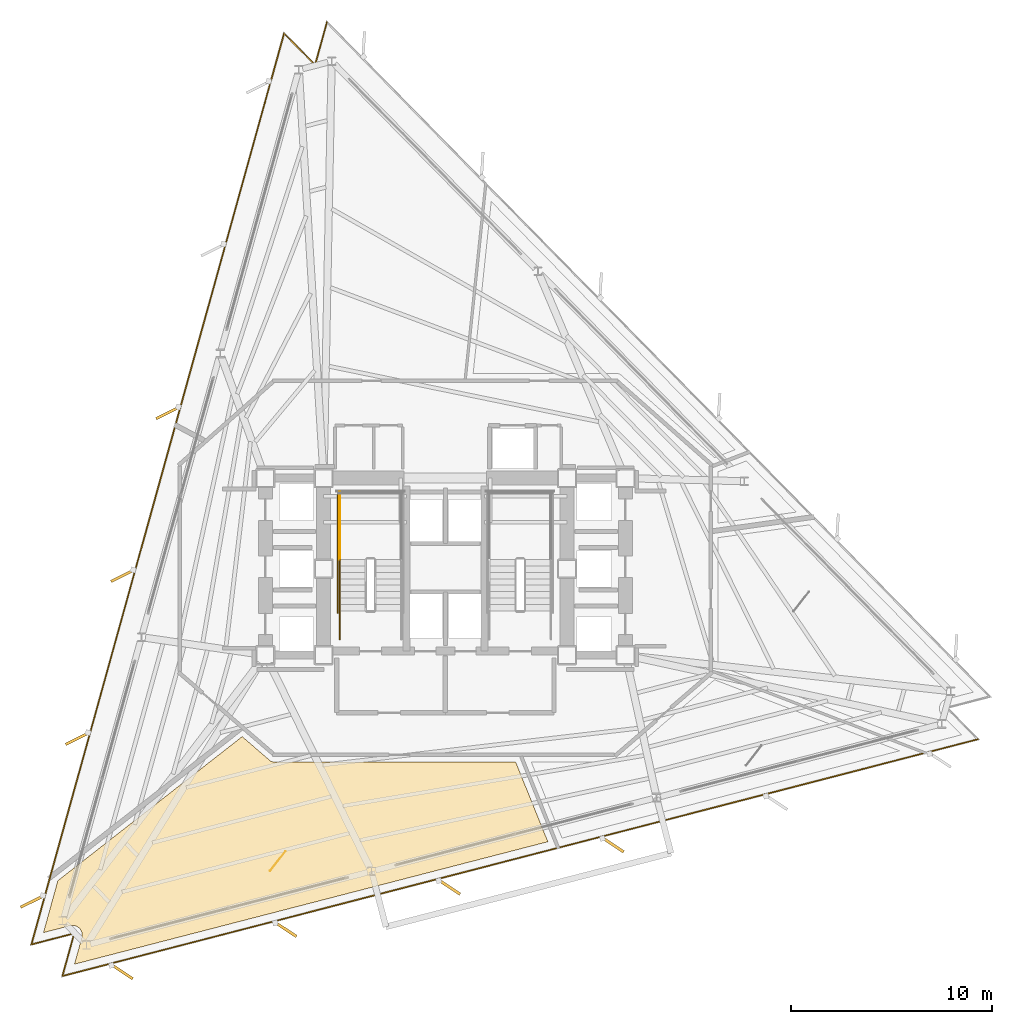
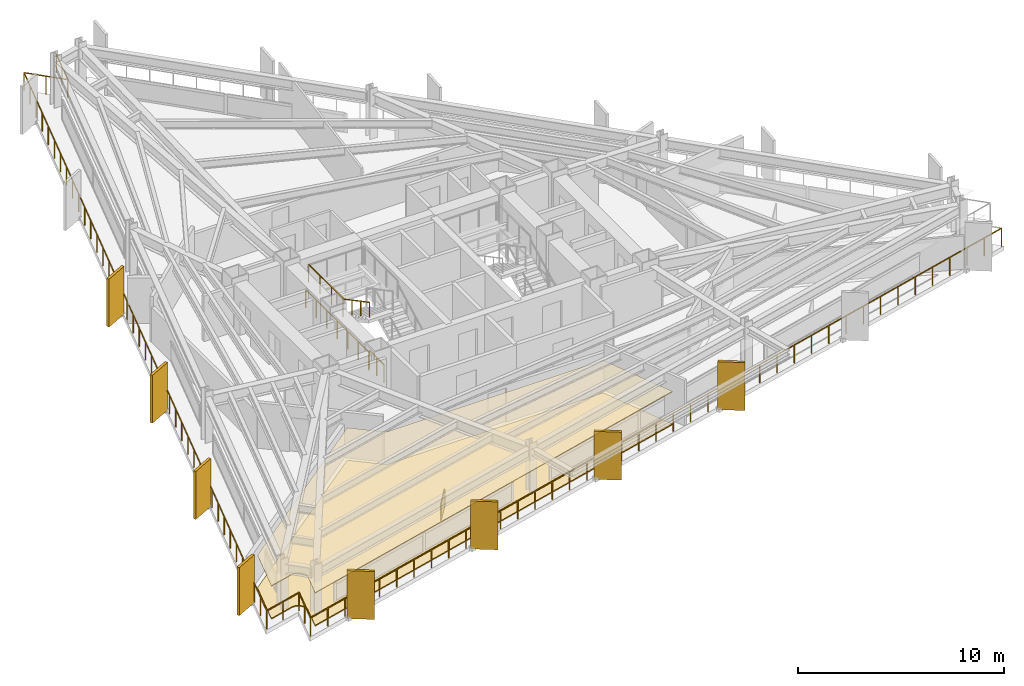
# One storey, part 9 of 11: 8 shading devices, 6 railings, 3 coverings.
"""IFC4 building model written with IfcOpenShell, lengths in metres."""

from ifc_helpers import new_model, si_unit, direction, frame, origin, origin_2d, place, context, subcontext, project, spatial, polyline, rectangle, outline, extrude, material, layer, layer_set, type_object, element, save


model = new_model("IFC4")

# Units and contexts
model_context = context("Model", 3, precision=1e-05, world=origin(), true_north=direction((0.0, 1.0)))
body_context = subcontext(model_context, "Body", "Model", "MODEL_VIEW")
ifc_project = project(units=[si_unit("LENGTHUNIT", "METRE"), si_unit("AREAUNIT", "SQUARE_METRE"), si_unit("VOLUMEUNIT", "CUBIC_METRE"), si_unit("PLANEANGLEUNIT", "RADIAN"), si_unit("MASSUNIT", "GRAM", prefix="KILO")], contexts=[model_context])

# Site, building, storey
site_placement = place(None, origin())
site = spatial("IfcSite", under=ifc_project, at=site_placement, CompositionType="ELEMENT")
building_placement = place(site_placement, origin())
building = spatial("IfcBuilding", under=site, at=building_placement, Name="Rocaltana Carrier Exchange", CompositionType="ELEMENT")
storey_placement = place(building_placement, frame((0.0, 0.0, 97.760009765625)))
storey = spatial("IfcBuildingStorey", under=building, at=storey_placement, Name="L30", CompositionType="ELEMENT", Elevation=97.760009765625)

# Coverings
ifc_material_1 = material(Name="Calcium Sulphate & Aluminium Pedestal", Category="aluminium")
ifc_layer_1 = layer(ifc_material_1, 0.06005859375)
ifc_layer_set_1 = layer_set([ifc_layer_1], Name="Calcium Sulphate & Aluminium Pedestal")
covering_type_1 = type_object("IfcCoveringType", Name="Anti-Static Raised Exchange Access Floor 60", PredefinedType="FLOORING", material=ifc_layer_set_1)
covering_1_placement = place(storey_placement, origin())
element("IfcCovering", 1, at=covering_1_placement, inside=storey, type_object=covering_type_1, Name="L30 Photonic Integration Workshop Finish Floor", PredefinedType="FLOORING", context=body_context, shape_type="SweptSolid", body=[
    extrude(outline(polyline([(-18.068359375, -18.33837890625), (-18.06494140625, -18.324951171875), (-18.060546875, -18.305419921875), (-18.055908203125, -18.278076171875), (-18.05322265625, -18.25830078125), (-18.051513671875, -18.230224609375), (-18.05078125, -18.21044921875), (-18.0517578125, -18.1826171875), (-18.05322265625, -18.16259765625), (-18.056884765625, -18.135009765625), (-18.060302734375, -18.115234375), (-18.066650390625, -18.088134765625), (-18.072265625, -18.069091796875), (-18.081298828125, -18.04248046875), (-18.08837890625, -18.02392578125), (-18.10009765625, -17.99853515625), (-18.109375, -17.98095703125), (-18.123291015625, -17.956787109375), (-18.13427734375, -17.940185546875), (-18.150634765625, -17.91748046875), (-18.1630859375, -17.90185546875), (-18.181640625, -17.881103515625), (-18.195556640625, -17.86669921875), (-18.216064453125, -17.847900390625), (-18.2314453125, -17.835205078125), (-18.25390625, -17.818359375), (-18.270263671875, -17.80712890625), (-18.294189453125, -17.792724609375), (-18.311767578125, -17.783203125), (-18.3369140625, -17.771240234375), (-18.355224609375, -17.763671875), (-18.381591796875, -17.754150390625), (-18.400634765625, -17.748291015625), (-18.427734375, -17.741455078125), (-18.447265625, -17.73779296875), (-18.474853515625, -17.733642578125), (-18.49462890625, -17.731689453125), (-18.522705078125, -17.73046875), (-18.54248046875, -17.73046875), (-18.5703125, -17.73193359375), (-18.59033203125, -17.73388671875), (-18.617919921875, -17.73828125), (-18.637451171875, -17.7421875), (-18.65087890625, -17.74560546875), (-19.97607421875, -18.088134765625), (-19.25927734375, -15.50390625), (-10.09912109375, -8.34716796875), (-8.735107421875, -9.522705078125), (-8.72412109375, -9.53173828125), (-8.717529296875, -9.53662109375), (-8.6943359375, -9.552978515625), (-8.6875, -9.557373046875), (-8.66259765625, -9.571044921875), (-8.6552734375, -9.57470703125), (-8.629150390625, -9.5859375), (-8.62158203125, -9.5888671875), (-8.594482421875, -9.597412109375), (-8.58642578125, -9.599365234375), (-8.55859375, -9.60498046875), (-8.550537109375, -9.606201171875), (-8.522216796875, -9.609130859375), (-8.51416015625, -9.609619140625), (-8.5, -9.610107421875), (3.494384765625, -9.610107421875), (5.09521484375, -13.572265625), (-18.43408203125, -19.6572265625), (-18.068359375, -18.33837890625)])), origin(), (0.0, 0.0, 1.0), 0.06005859375),
])
ifc_material_2 = material(Name="Mineral Fibre & Powder-Coated Aluminium", Category="aluminium")
ifc_layer_2 = layer(ifc_material_2, 0.044921875)
ifc_layer_set_2 = layer_set([ifc_layer_2], Name="Mineral Fibre & Powder-Coated Aluminium")
covering_type_2 = type_object("IfcCoveringType", Name="Micro-Perforated Acoustic Ceiling 45", PredefinedType="CEILING", material=ifc_layer_set_2)
covering_2_placement = place(storey_placement, frame((0.0, 0.0, 1.94287109375)))
element("IfcCovering", 2, at=covering_2_placement, inside=storey, type_object=covering_type_2, Name="L30 Photonic Integration Workshop Acoustic Ceiling", PredefinedType="CEILING", context=body_context, shape_type="SweptSolid", body=[
    extrude(outline(polyline([(-18.068359375, -18.33837890625), (-18.06494140625, -18.324951171875), (-18.060546875, -18.305419921875), (-18.055908203125, -18.278076171875), (-18.05322265625, -18.25830078125), (-18.051513671875, -18.230224609375), (-18.05078125, -18.21044921875), (-18.0517578125, -18.1826171875), (-18.05322265625, -18.16259765625), (-18.056884765625, -18.135009765625), (-18.060302734375, -18.115234375), (-18.066650390625, -18.088134765625), (-18.072265625, -18.069091796875), (-18.081298828125, -18.04248046875), (-18.08837890625, -18.02392578125), (-18.10009765625, -17.99853515625), (-18.109375, -17.98095703125), (-18.123291015625, -17.956787109375), (-18.13427734375, -17.940185546875), (-18.150634765625, -17.91748046875), (-18.1630859375, -17.90185546875), (-18.181640625, -17.881103515625), (-18.195556640625, -17.86669921875), (-18.216064453125, -17.847900390625), (-18.2314453125, -17.835205078125), (-18.25390625, -17.818359375), (-18.270263671875, -17.80712890625), (-18.294189453125, -17.792724609375), (-18.311767578125, -17.783203125), (-18.3369140625, -17.771240234375), (-18.355224609375, -17.763671875), (-18.381591796875, -17.754150390625), (-18.400634765625, -17.748291015625), (-18.427734375, -17.741455078125), (-18.447265625, -17.73779296875), (-18.474853515625, -17.733642578125), (-18.49462890625, -17.731689453125), (-18.522705078125, -17.73046875), (-18.54248046875, -17.73046875), (-18.5703125, -17.73193359375), (-18.59033203125, -17.73388671875), (-18.617919921875, -17.73828125), (-18.637451171875, -17.7421875), (-18.65087890625, -17.74560546875), (-19.97607421875, -18.088134765625), (-19.25927734375, -15.50390625), (-10.09912109375, -8.34716796875), (-8.735107421875, -9.522705078125), (-8.72412109375, -9.53173828125), (-8.717529296875, -9.53662109375), (-8.6943359375, -9.552978515625), (-8.6875, -9.557373046875), (-8.66259765625, -9.571044921875), (-8.6552734375, -9.57470703125), (-8.629150390625, -9.5859375), (-8.62158203125, -9.5888671875), (-8.594482421875, -9.597412109375), (-8.58642578125, -9.599365234375), (-8.55859375, -9.60498046875), (-8.550537109375, -9.606201171875), (-8.522216796875, -9.609130859375), (-8.51416015625, -9.609619140625), (-8.5, -9.610107421875), (3.494384765625, -9.610107421875), (5.09521484375, -13.572265625), (-18.43408203125, -19.6572265625), (-18.068359375, -18.33837890625)])), origin(), (0.0, 0.0, 1.0), 0.045166015625),
])

# Railings
ifc_material_3 = material(Name="Brushed Architectural Stainless Tube", Category="steel")
ifc_layer_3 = layer(ifc_material_3, 0.048095703125)
ifc_layer_set_3 = layer_set([ifc_layer_3], Name="Brushed Architectural Stainless Tube")
railing_type_1 = type_object("IfcRailingType", Name="Stair Wall Handrail 920", PredefinedType="HANDRAIL", material=ifc_layer_set_3)
railing_1_placement = place(storey_placement, frame((-5.25, 0.4599609375, 1.68896484375)))
element("IfcRailing", 3, at=railing_1_placement, inside=storey, type_object=railing_type_1, Name="L30 ST-1 stair handrail 2", PredefinedType="HANDRAIL", context=body_context, shape_type="SweptSolid", body=[
    extrude(rectangle(XDim=0.048095703125, YDim=0.048095703125, at=origin_2d()), frame((0.0, 0.0, 0.8759765625), z_axis=(0.0, -0.884394423565, 0.466740295633), x_axis=(1.0, 0.0, 0.0)), (0.0, 0.0, 1.0), 2.894775390625),
    extrude(rectangle(XDim=0.0419921875, YDim=0.0419921875, at=origin_2d()), origin(), (0.0, 0.0, 1.0), 0.851806640625),
    extrude(rectangle(XDim=0.0419921875, YDim=0.0419921875, at=origin_2d()), frame((0.0, -0.853271484375, 0.450439453125)), (0.0, 0.0, 1.0), 0.851806640625),
    extrude(rectangle(XDim=0.0419921875, YDim=0.0419921875, at=origin_2d()), frame((0.0, -1.706787109375, 0.900634765625)), (0.0, 0.0, 1.0), 0.851806640625),
    extrude(rectangle(XDim=0.0419921875, YDim=0.0419921875, at=origin_2d()), frame((0.0, -2.56005859375, 1.35107421875)), (0.0, 0.0, 1.0), 0.851806640625),
])
ifc_material_4 = material(Name="Powder-Coated Aluminium 6063-T6", Category="aluminium")
ifc_layer_4 = layer(ifc_material_4, 0.048095703125)
ifc_layer_set_4 = layer_set([ifc_layer_4], Name="Powder-Coated Aluminium 6063-T6")
railing_type_2 = type_object("IfcRailingType", Name="Stair Well Guardrail 1100", PredefinedType="GUARDRAIL", material=ifc_layer_set_4)
railing_2_placement = place(storey_placement, frame((-5.25, 0.4599609375, 1.52001953125)))
element("IfcRailing", 4, at=railing_2_placement, inside=storey, type_object=railing_type_2, Name="L30 ST-1 stair guard 4", PredefinedType="GUARDRAIL", context=body_context, shape_type="SweptSolid", body=[
    extrude(rectangle(XDim=0.048095703125, YDim=0.048095703125, at=origin_2d()), frame((0.0, 0.0, 1.076171875), z_axis=(0.0, 1.0, 0.0), x_axis=(-1.0, 0.0, 0.0)), (0.0, 0.0, 1.0), 3.340087890625),
    extrude(rectangle(XDim=0.0419921875, YDim=0.0419921875, at=origin_2d()), origin(), (0.0, 0.0, 1.0), 1.052001953125),
    extrude(rectangle(XDim=0.0419921875, YDim=0.0419921875, at=origin_2d()), frame((0.0, 1.11328125, 0.0)), (0.0, 0.0, 1.0), 1.052001953125),
    extrude(rectangle(XDim=0.0419921875, YDim=0.0419921875, at=origin_2d()), frame((0.0, 2.226806640625, 0.0)), (0.0, 0.0, 1.0), 1.052001953125),
    extrude(rectangle(XDim=0.0419921875, YDim=0.0419921875, at=origin_2d()), frame((0.0, 3.340087890625, 0.0)), (0.0, 0.0, 1.0), 1.052001953125),
])
railing_3_placement = place(storey_placement, frame((-5.25, -3.5, 0.0)))
element("IfcRailing", 5, at=railing_3_placement, inside=storey, type_object=railing_type_2, Name="L30 ST-1 stair guard 9", PredefinedType="GUARDRAIL", context=body_context, shape_type="SweptSolid", body=[
    extrude(rectangle(XDim=0.048095703125, YDim=0.048095703125, at=origin_2d()), frame((0.0, 0.0, 1.076171875), z_axis=(0.0, 1.0, 0.0), x_axis=(-1.0, 0.0, 0.0)), (0.0, 0.0, 1.0), 1.39990234375),
    extrude(rectangle(XDim=0.0419921875, YDim=0.0419921875, at=origin_2d()), origin(), (0.0, 0.0, 1.0), 1.052001953125),
    extrude(rectangle(XDim=0.0419921875, YDim=0.0419921875, at=origin_2d()), frame((0.0, 0.699951171875, 0.0)), (0.0, 0.0, 1.0), 1.052001953125),
    extrude(rectangle(XDim=0.0419921875, YDim=0.0419921875, at=origin_2d()), frame((0.0, 1.39990234375, 0.0)), (0.0, 0.0, 1.0), 1.052001953125),
])
railing_4_placement = place(storey_placement, frame((-5.35009765625, -2.199951171875, 0.0)))
element("IfcRailing", 6, at=railing_4_placement, inside=storey, type_object=railing_type_2, Name="L30 ST-1 stair guard 11", PredefinedType="GUARDRAIL", context=body_context, shape_type="SweptSolid", body=[
    extrude(rectangle(XDim=0.048095703125, YDim=0.048095703125, at=origin_2d()), frame((0.0, 0.0, 1.076171875), z_axis=(0.0, 1.0, 0.0), x_axis=(-1.0, 0.0, 0.0)), (0.0, 0.0, 1.0), 6.099853515625),
    extrude(rectangle(XDim=0.0419921875, YDim=0.0419921875, at=origin_2d()), origin(), (0.0, 0.0, 1.0), 1.052001953125),
    extrude(rectangle(XDim=0.0419921875, YDim=0.0419921875, at=origin_2d()), frame((0.0, 1.0166015625, 0.0)), (0.0, 0.0, 1.0), 1.052001953125),
    extrude(rectangle(XDim=0.0419921875, YDim=0.0419921875, at=origin_2d()), frame((0.0, 2.033203125, 0.0)), (0.0, 0.0, 1.0), 1.052001953125),
    extrude(rectangle(XDim=0.0419921875, YDim=0.0419921875, at=origin_2d()), frame((0.0, 3.0498046875, 0.0)), (0.0, 0.0, 1.0), 1.052001953125),
    extrude(rectangle(XDim=0.0419921875, YDim=0.0419921875, at=origin_2d()), frame((0.0, 4.066650390625, 0.0)), (0.0, 0.0, 1.0), 1.052001953125),
    extrude(rectangle(XDim=0.0419921875, YDim=0.0419921875, at=origin_2d()), frame((0.0, 5.083251953125, 0.0)), (0.0, 0.0, 1.0), 1.052001953125),
    extrude(rectangle(XDim=0.0419921875, YDim=0.0419921875, at=origin_2d()), frame((0.0, 6.099853515625, 0.0)), (0.0, 0.0, 1.0), 1.052001953125),
])

# Covering
ifc_material_5 = material(Name="Honed Piedra Muneca Sandstone", Category="masonry")
ifc_layer_5 = layer(ifc_material_5, 0.034912109375)
ifc_layer_set_5 = layer_set([ifc_layer_5], Name="Honed Piedra Muneca Sandstone")
covering_type_3 = type_object("IfcCoveringType", Name="Stone Facade Cladding 35", PredefinedType="CLADDING", material=ifc_layer_set_5)
covering_3_placement = place(storey_placement, frame((-8.331298828125, -14.5380859375, 0.0), z_axis=(0.0, 0.0, 1.0), x_axis=(0.615661475326, 0.788010753607, 0.0)))
element("IfcCovering", 7, at=covering_3_placement, inside=storey, type_object=covering_type_3, Name="L30 Stone Facade Cladding Panel 2", PredefinedType="CLADDING", context=body_context, shape_type="SweptSolid", body=[
    extrude(rectangle(XDim=1.25, YDim=0.034912109375, at=origin_2d()), origin(), (0.0, 0.0, 1.0), 1.050048828125),
])

# Shading devices
ifc_material_6 = material(Name="Honed Bogota Sandstone & Concrete C45/55", Category="masonry")
ifc_layer_6 = layer(ifc_material_6, 0.139892578125)
ifc_layer_set_6 = layer_set([ifc_layer_6], Name="Honed Bogota Sandstone & Concrete C45/55")
shading_device_type = type_object("IfcShadingDeviceType", Name="Vertical Sandstone Shading Fin 1320x140", PredefinedType="USERDEFINED", material=ifc_layer_set_6)
for number, where, z_axis, x_axis, name in (
    (8, (-13.786376953125, 7.751220703125, -0.119873046875), (0.0, 0.0, 1.0), (-0.894934361602, -0.44619781311, 0.0), "L30 Sandstone Vertical Fin F2-03"),
    (9, (-16.031005859375, -0.34326171875, -0.119873046875), (0.0, 0.0, 1.0), (-0.894934361602, -0.44619781311, 0.0), "L30 Sandstone Vertical Fin F2-04"),
    (10, (-18.27587890625, -8.437744140625, -0.119873046875), (0.0, 0.0, 1.0), (-0.894934361602, -0.44619781311, 0.0), "L30 Sandstone Vertical Fin F2-05"),
    (11, (-20.520751953125, -16.5322265625, -0.119873046875), (0.0, 0.0, 1.0), (-0.894934361602, -0.44619781311, 0.0), "L30 Sandstone Vertical Fin F2-06"),
    (12, (-16.08447265625, -20.021484375, -0.119873046875), (0.0, 0.0, 1.0), (0.833885822067, -0.551936985312, 0.0), "L30 Sandstone Vertical Fin F3-01"),
    (13, (-7.9521484375, -17.918212890625, -0.119873046875), (0.0, 0.0, 1.0), (0.833885822067, -0.551936985312, 0.0), "L30 Sandstone Vertical Fin F3-02"),
    (14, (0.180419921875, -15.81494140625, -0.119873046875), (0.0, 0.0, 1.0), (0.833885822067, -0.551936985312, 0.0), "L30 Sandstone Vertical Fin F3-03"),
    (15, (8.312744140625, -13.7119140625, -0.119873046875), (0.0, 0.0, 1.0), (0.833885822067, -0.551936985312, 0.0), "L30 Sandstone Vertical Fin F3-04"),
):
    element("IfcShadingDevice", number, at=place(storey_placement, frame(where, z_axis=z_axis, x_axis=x_axis)), inside=storey, type_object=shading_device_type, Name=name, ObjectType="FIN", PredefinedType="USERDEFINED", context=body_context, shape_type="SweptSolid", body=[
        extrude(rectangle(XDim=1.320068359375, YDim=0.139892578125, at=origin_2d()), origin(), (0.0, 0.0, 1.0), 2.837890625),
    ])

# Railings
ifc_material_7 = material(Name="Powder-Coated Aluminium 6063-T6", Category="aluminium")
ifc_layer_7 = layer(ifc_material_7, 0.06005859375)
ifc_layer_set_7 = layer_set([ifc_layer_7], Name="Powder-Coated Aluminium 6063-T6")
railing_type_3 = type_object("IfcRailingType", Name="Wind-Floor & Terrace Perimeter Guardrail 1100", PredefinedType="GUARDRAIL", material=ifc_layer_set_7)
railing_5_placement = place(storey_placement, frame((26.46240234375, -8.47998046875, 0.0)))
element("IfcRailing", 16, at=railing_5_placement, inside=storey, type_object=railing_type_3, Name="L30 Perimeter Balcony Guardrail 1", PredefinedType="GUARDRAIL", context=body_context, shape_type="SweptSolid", body=[
    extrude(rectangle(XDim=0.048095703125, YDim=0.048095703125, at=origin_2d()), frame((0.0, 0.0, 1.076171875), z_axis=(-0.968146868185, -0.250382989886, 0.0), x_axis=(0.250382989886, -0.968146868185, 0.0)), (0.0, 0.0, 1.0), 46.992431640625),
    extrude(rectangle(XDim=0.048095703125, YDim=0.048095703125, at=origin_2d()), frame((-45.49560546875, -11.76611328125, 1.076171875), z_axis=(0.267237446942, 0.96363071088, 0.0), x_axis=(-0.96363071088, 0.267237446942, 0.0)), (0.0, 0.0, 1.0), 2.199951171875),
    extrude(rectangle(XDim=0.048095703125, YDim=0.048095703125, at=origin_2d()), frame((-44.90771484375, -9.646240234375, 1.076171875), z_axis=(-0.968152477167, -0.250361300835, 0.0), x_axis=(0.250361300835, -0.968152477167, 0.0)), (0.0, 0.0, 1.0), 2.199951171875),
    extrude(rectangle(XDim=0.0419921875, YDim=0.0419921875, at=origin_2d()), origin(), (0.0, 0.0, 1.0), 1.052001953125),
    extrude(rectangle(XDim=0.0419921875, YDim=0.0419921875, at=origin_2d()), frame((-1.137451171875, -0.294189453125, 0.0)), (0.0, 0.0, 1.0), 1.052001953125),
    extrude(rectangle(XDim=0.0419921875, YDim=0.0419921875, at=origin_2d()), frame((-2.27490234375, -0.58837890625, 0.0)), (0.0, 0.0, 1.0), 1.052001953125),
    extrude(rectangle(XDim=0.0419921875, YDim=0.0419921875, at=origin_2d()), frame((-3.412109375, -0.882568359375, 0.0)), (0.0, 0.0, 1.0), 1.052001953125),
    extrude(rectangle(XDim=0.0419921875, YDim=0.0419921875, at=origin_2d()), frame((-4.549560546875, -1.176513671875, 0.0)), (0.0, 0.0, 1.0), 1.052001953125),
    extrude(rectangle(XDim=0.0419921875, YDim=0.0419921875, at=origin_2d()), frame((-5.68701171875, -1.470703125, 0.0)), (0.0, 0.0, 1.0), 1.052001953125),
    extrude(rectangle(XDim=0.0419921875, YDim=0.0419921875, at=origin_2d()), frame((-6.82421875, -1.764892578125, 0.0)), (0.0, 0.0, 1.0), 1.052001953125),
    extrude(rectangle(XDim=0.0419921875, YDim=0.0419921875, at=origin_2d()), frame((-7.961669921875, -2.05908203125, 0.0)), (0.0, 0.0, 1.0), 1.052001953125),
    extrude(rectangle(XDim=0.0419921875, YDim=0.0419921875, at=origin_2d()), frame((-9.09912109375, -2.353271484375, 0.0)), (0.0, 0.0, 1.0), 1.052001953125),
    extrude(rectangle(XDim=0.0419921875, YDim=0.0419921875, at=origin_2d()), frame((-10.236572265625, -2.6474609375, 0.0)), (0.0, 0.0, 1.0), 1.052001953125),
    extrude(rectangle(XDim=0.0419921875, YDim=0.0419921875, at=origin_2d()), frame((-11.3740234375, -2.94140625, 0.0)), (0.0, 0.0, 1.0), 1.052001953125),
    extrude(rectangle(XDim=0.0419921875, YDim=0.0419921875, at=origin_2d()), frame((-12.51123046875, -3.235595703125, 0.0)), (0.0, 0.0, 1.0), 1.052001953125),
    extrude(rectangle(XDim=0.0419921875, YDim=0.0419921875, at=origin_2d()), frame((-13.648681640625, -3.52978515625, 0.0)), (0.0, 0.0, 1.0), 1.052001953125),
    extrude(rectangle(XDim=0.0419921875, YDim=0.0419921875, at=origin_2d()), frame((-14.7861328125, -3.823974609375, 0.0)), (0.0, 0.0, 1.0), 1.052001953125),
    extrude(rectangle(XDim=0.0419921875, YDim=0.0419921875, at=origin_2d()), frame((-15.92333984375, -4.1181640625, 0.0)), (0.0, 0.0, 1.0), 1.052001953125),
    extrude(rectangle(XDim=0.0419921875, YDim=0.0419921875, at=origin_2d()), frame((-17.060791015625, -4.412353515625, 0.0)), (0.0, 0.0, 1.0), 1.052001953125),
    extrude(rectangle(XDim=0.0419921875, YDim=0.0419921875, at=origin_2d()), frame((-18.1982421875, -4.70654296875, 0.0)), (0.0, 0.0, 1.0), 1.052001953125),
    extrude(rectangle(XDim=0.0419921875, YDim=0.0419921875, at=origin_2d()), frame((-19.335693359375, -5.00048828125, 0.0)), (0.0, 0.0, 1.0), 1.052001953125),
    extrude(rectangle(XDim=0.0419921875, YDim=0.0419921875, at=origin_2d()), frame((-20.47314453125, -5.294677734375, 0.0)), (0.0, 0.0, 1.0), 1.052001953125),
    extrude(rectangle(XDim=0.0419921875, YDim=0.0419921875, at=origin_2d()), frame((-21.6103515625, -5.5888671875, 0.0)), (0.0, 0.0, 1.0), 1.052001953125),
    extrude(rectangle(XDim=0.0419921875, YDim=0.0419921875, at=origin_2d()), frame((-22.747802734375, -5.883056640625, 0.0)), (0.0, 0.0, 1.0), 1.052001953125),
    extrude(rectangle(XDim=0.0419921875, YDim=0.0419921875, at=origin_2d()), frame((-23.88525390625, -6.17724609375, 0.0)), (0.0, 0.0, 1.0), 1.052001953125),
    extrude(rectangle(XDim=0.0419921875, YDim=0.0419921875, at=origin_2d()), frame((-25.022705078125, -6.471435546875, 0.0)), (0.0, 0.0, 1.0), 1.052001953125),
    extrude(rectangle(XDim=0.0419921875, YDim=0.0419921875, at=origin_2d()), frame((-26.159912109375, -6.765625, 0.0)), (0.0, 0.0, 1.0), 1.052001953125),
    extrude(rectangle(XDim=0.0419921875, YDim=0.0419921875, at=origin_2d()), frame((-27.29736328125, -7.0595703125, 0.0)), (0.0, 0.0, 1.0), 1.052001953125),
    extrude(rectangle(XDim=0.0419921875, YDim=0.0419921875, at=origin_2d()), frame((-28.434814453125, -7.353759765625, 0.0)), (0.0, 0.0, 1.0), 1.052001953125),
    extrude(rectangle(XDim=0.0419921875, YDim=0.0419921875, at=origin_2d()), frame((-29.572265625, -7.64794921875, 0.0)), (0.0, 0.0, 1.0), 1.052001953125),
    extrude(rectangle(XDim=0.0419921875, YDim=0.0419921875, at=origin_2d()), frame((-30.70947265625, -7.942138671875, 0.0)), (0.0, 0.0, 1.0), 1.052001953125),
    extrude(rectangle(XDim=0.0419921875, YDim=0.0419921875, at=origin_2d()), frame((-31.846923828125, -8.236328125, 0.0)), (0.0, 0.0, 1.0), 1.052001953125),
    extrude(rectangle(XDim=0.0419921875, YDim=0.0419921875, at=origin_2d()), frame((-32.984375, -8.530517578125, 0.0)), (0.0, 0.0, 1.0), 1.052001953125),
    extrude(rectangle(XDim=0.0419921875, YDim=0.0419921875, at=origin_2d()), frame((-34.12158203125, -8.82470703125, 0.0)), (0.0, 0.0, 1.0), 1.052001953125),
    extrude(rectangle(XDim=0.0419921875, YDim=0.0419921875, at=origin_2d()), frame((-35.259033203125, -9.11865234375, 0.0)), (0.0, 0.0, 1.0), 1.052001953125),
    extrude(rectangle(XDim=0.0419921875, YDim=0.0419921875, at=origin_2d()), frame((-36.396484375, -9.412841796875, 0.0)), (0.0, 0.0, 1.0), 1.052001953125),
    extrude(rectangle(XDim=0.0419921875, YDim=0.0419921875, at=origin_2d()), frame((-37.533935546875, -9.70703125, 0.0)), (0.0, 0.0, 1.0), 1.052001953125),
    extrude(rectangle(XDim=0.0419921875, YDim=0.0419921875, at=origin_2d()), frame((-38.67138671875, -10.001220703125, 0.0)), (0.0, 0.0, 1.0), 1.052001953125),
    extrude(rectangle(XDim=0.0419921875, YDim=0.0419921875, at=origin_2d()), frame((-39.80859375, -10.29541015625, 0.0)), (0.0, 0.0, 1.0), 1.052001953125),
    extrude(rectangle(XDim=0.0419921875, YDim=0.0419921875, at=origin_2d()), frame((-40.946044921875, -10.589599609375, 0.0)), (0.0, 0.0, 1.0), 1.052001953125),
    extrude(rectangle(XDim=0.0419921875, YDim=0.0419921875, at=origin_2d()), frame((-42.08349609375, -10.883544921875, 0.0)), (0.0, 0.0, 1.0), 1.052001953125),
    extrude(rectangle(XDim=0.0419921875, YDim=0.0419921875, at=origin_2d()), frame((-43.220703125, -11.177734375, 0.0)), (0.0, 0.0, 1.0), 1.052001953125),
    extrude(rectangle(XDim=0.0419921875, YDim=0.0419921875, at=origin_2d()), frame((-44.358154296875, -11.471923828125, 0.0)), (0.0, 0.0, 1.0), 1.052001953125),
    extrude(rectangle(XDim=0.0419921875, YDim=0.0419921875, at=origin_2d()), frame((-45.49560546875, -11.76611328125, 0.0)), (0.0, 0.0, 1.0), 1.052001953125),
    extrude(rectangle(XDim=0.0419921875, YDim=0.0419921875, at=origin_2d()), frame((-45.20166015625, -10.7060546875, 0.0)), (0.0, 0.0, 1.0), 1.052001953125),
    extrude(rectangle(XDim=0.0419921875, YDim=0.0419921875, at=origin_2d()), frame((-44.90771484375, -9.646240234375, 0.0)), (0.0, 0.0, 1.0), 1.052001953125),
    extrude(rectangle(XDim=0.0419921875, YDim=0.0419921875, at=origin_2d()), frame((-45.97265625, -9.921630859375, 0.0)), (0.0, 0.0, 1.0), 1.052001953125),
    extrude(rectangle(XDim=0.0419921875, YDim=0.0419921875, at=origin_2d()), frame((-47.03759765625, -10.197021484375, 0.0)), (0.0, 0.0, 1.0), 1.052001953125),
])
railing_6_placement = place(storey_placement, frame((-20.5751953125, -18.677001953125, 0.0)))
element("IfcRailing", 17, at=railing_6_placement, inside=storey, type_object=railing_type_3, Name="L30 Perimeter Balcony Guardrail 2", PredefinedType="GUARDRAIL", context=body_context, shape_type="SweptSolid", body=[
    extrude(rectangle(XDim=0.048095703125, YDim=0.048095703125, at=origin_2d()), frame((0.0, 0.0, 1.076171875), z_axis=(0.267237621402, 0.963630662499, 0.0), x_axis=(-0.963630662499, 0.267237621402, 0.0)), (0.0, 0.0, 1.0), 46.9921875),
    extrude(rectangle(XDim=0.048095703125, YDim=0.048095703125, at=origin_2d()), frame((12.55810546875, 45.283203125, 1.076171875), z_axis=(0.700920820206, -0.713239093012, 0.0), x_axis=(0.713239093012, 0.700920820206, 0.0)), (0.0, 0.0, 1.0), 2.199951171875),
    extrude(rectangle(XDim=0.048095703125, YDim=0.048095703125, at=origin_2d()), frame((14.10009765625, 43.714111328125, 1.076171875), z_axis=(0.267237446942, 0.96363071088, 0.0), x_axis=(-0.96363071088, 0.267237446942, 0.0)), (0.0, 0.0, 1.0), 2.199951171875),
    extrude(rectangle(XDim=0.0419921875, YDim=0.0419921875, at=origin_2d()), origin(), (0.0, 0.0, 1.0), 1.052001953125),
    extrude(rectangle(XDim=0.0419921875, YDim=0.0419921875, at=origin_2d()), frame((0.31396484375, 1.132080078125, 0.0)), (0.0, 0.0, 1.0), 1.052001953125),
    extrude(rectangle(XDim=0.0419921875, YDim=0.0419921875, at=origin_2d()), frame((0.6279296875, 2.26416015625, 0.0)), (0.0, 0.0, 1.0), 1.052001953125),
    extrude(rectangle(XDim=0.0419921875, YDim=0.0419921875, at=origin_2d()), frame((0.94189453125, 3.396240234375, 0.0)), (0.0, 0.0, 1.0), 1.052001953125),
    extrude(rectangle(XDim=0.0419921875, YDim=0.0419921875, at=origin_2d()), frame((1.255859375, 4.5283203125, 0.0)), (0.0, 0.0, 1.0), 1.052001953125),
    extrude(rectangle(XDim=0.0419921875, YDim=0.0419921875, at=origin_2d()), frame((1.56982421875, 5.660400390625, 0.0)), (0.0, 0.0, 1.0), 1.052001953125),
    extrude(rectangle(XDim=0.0419921875, YDim=0.0419921875, at=origin_2d()), frame((1.8837890625, 6.79248046875, 0.0)), (0.0, 0.0, 1.0), 1.052001953125),
    extrude(rectangle(XDim=0.0419921875, YDim=0.0419921875, at=origin_2d()), frame((2.19775390625, 7.924560546875, 0.0)), (0.0, 0.0, 1.0), 1.052001953125),
    extrude(rectangle(XDim=0.0419921875, YDim=0.0419921875, at=origin_2d()), frame((2.51171875, 9.056640625, 0.0)), (0.0, 0.0, 1.0), 1.052001953125),
    extrude(rectangle(XDim=0.0419921875, YDim=0.0419921875, at=origin_2d()), frame((2.82568359375, 10.188720703125, 0.0)), (0.0, 0.0, 1.0), 1.052001953125),
    extrude(rectangle(XDim=0.0419921875, YDim=0.0419921875, at=origin_2d()), frame((3.1396484375, 11.32080078125, 0.0)), (0.0, 0.0, 1.0), 1.052001953125),
    extrude(rectangle(XDim=0.0419921875, YDim=0.0419921875, at=origin_2d()), frame((3.453369140625, 12.452880859375, 0.0)), (0.0, 0.0, 1.0), 1.052001953125),
    extrude(rectangle(XDim=0.0419921875, YDim=0.0419921875, at=origin_2d()), frame((3.767333984375, 13.5849609375, 0.0)), (0.0, 0.0, 1.0), 1.052001953125),
    extrude(rectangle(XDim=0.0419921875, YDim=0.0419921875, at=origin_2d()), frame((4.081298828125, 14.717041015625, 0.0)), (0.0, 0.0, 1.0), 1.052001953125),
    extrude(rectangle(XDim=0.0419921875, YDim=0.0419921875, at=origin_2d()), frame((4.395263671875, 15.84912109375, 0.0)), (0.0, 0.0, 1.0), 1.052001953125),
    extrude(rectangle(XDim=0.0419921875, YDim=0.0419921875, at=origin_2d()), frame((4.709228515625, 16.981201171875, 0.0)), (0.0, 0.0, 1.0), 1.052001953125),
    extrude(rectangle(XDim=0.0419921875, YDim=0.0419921875, at=origin_2d()), frame((5.023193359375, 18.11328125, 0.0)), (0.0, 0.0, 1.0), 1.052001953125),
    extrude(rectangle(XDim=0.0419921875, YDim=0.0419921875, at=origin_2d()), frame((5.337158203125, 19.245361328125, 0.0)), (0.0, 0.0, 1.0), 1.052001953125),
    extrude(rectangle(XDim=0.0419921875, YDim=0.0419921875, at=origin_2d()), frame((5.651123046875, 20.37744140625, 0.0)), (0.0, 0.0, 1.0), 1.052001953125),
    extrude(rectangle(XDim=0.0419921875, YDim=0.0419921875, at=origin_2d()), frame((5.965087890625, 21.509521484375, 0.0)), (0.0, 0.0, 1.0), 1.052001953125),
    extrude(rectangle(XDim=0.0419921875, YDim=0.0419921875, at=origin_2d()), frame((6.279052734375, 22.6416015625, 0.0)), (0.0, 0.0, 1.0), 1.052001953125),
    extrude(rectangle(XDim=0.0419921875, YDim=0.0419921875, at=origin_2d()), frame((6.593017578125, 23.773681640625, 0.0)), (0.0, 0.0, 1.0), 1.052001953125),
    extrude(rectangle(XDim=0.0419921875, YDim=0.0419921875, at=origin_2d()), frame((6.906982421875, 24.90576171875, 0.0)), (0.0, 0.0, 1.0), 1.052001953125),
    extrude(rectangle(XDim=0.0419921875, YDim=0.0419921875, at=origin_2d()), frame((7.220947265625, 26.037841796875, 0.0)), (0.0, 0.0, 1.0), 1.052001953125),
    extrude(rectangle(XDim=0.0419921875, YDim=0.0419921875, at=origin_2d()), frame((7.534912109375, 27.169921875, 0.0)), (0.0, 0.0, 1.0), 1.052001953125),
    extrude(rectangle(XDim=0.0419921875, YDim=0.0419921875, at=origin_2d()), frame((7.848876953125, 28.302001953125, 0.0)), (0.0, 0.0, 1.0), 1.052001953125),
    extrude(rectangle(XDim=0.0419921875, YDim=0.0419921875, at=origin_2d()), frame((8.162841796875, 29.43408203125, 0.0)), (0.0, 0.0, 1.0), 1.052001953125),
    extrude(rectangle(XDim=0.0419921875, YDim=0.0419921875, at=origin_2d()), frame((8.476806640625, 30.566162109375, 0.0)), (0.0, 0.0, 1.0), 1.052001953125),
    extrude(rectangle(XDim=0.0419921875, YDim=0.0419921875, at=origin_2d()), frame((8.790771484375, 31.6982421875, 0.0)), (0.0, 0.0, 1.0), 1.052001953125),
    extrude(rectangle(XDim=0.0419921875, YDim=0.0419921875, at=origin_2d()), frame((9.104736328125, 32.830322265625, 0.0)), (0.0, 0.0, 1.0), 1.052001953125),
    extrude(rectangle(XDim=0.0419921875, YDim=0.0419921875, at=origin_2d()), frame((9.41845703125, 33.96240234375, 0.0)), (0.0, 0.0, 1.0), 1.052001953125),
    extrude(rectangle(XDim=0.0419921875, YDim=0.0419921875, at=origin_2d()), frame((9.732421875, 35.094482421875, 0.0)), (0.0, 0.0, 1.0), 1.052001953125),
    extrude(rectangle(XDim=0.0419921875, YDim=0.0419921875, at=origin_2d()), frame((10.04638671875, 36.2265625, 0.0)), (0.0, 0.0, 1.0), 1.052001953125),
    extrude(rectangle(XDim=0.0419921875, YDim=0.0419921875, at=origin_2d()), frame((10.3603515625, 37.358642578125, 0.0)), (0.0, 0.0, 1.0), 1.052001953125),
    extrude(rectangle(XDim=0.0419921875, YDim=0.0419921875, at=origin_2d()), frame((10.67431640625, 38.49072265625, 0.0)), (0.0, 0.0, 1.0), 1.052001953125),
    extrude(rectangle(XDim=0.0419921875, YDim=0.0419921875, at=origin_2d()), frame((10.98828125, 39.622802734375, 0.0)), (0.0, 0.0, 1.0), 1.052001953125),
    extrude(rectangle(XDim=0.0419921875, YDim=0.0419921875, at=origin_2d()), frame((11.30224609375, 40.7548828125, 0.0)), (0.0, 0.0, 1.0), 1.052001953125),
    extrude(rectangle(XDim=0.0419921875, YDim=0.0419921875, at=origin_2d()), frame((11.6162109375, 41.886962890625, 0.0)), (0.0, 0.0, 1.0), 1.052001953125),
    extrude(rectangle(XDim=0.0419921875, YDim=0.0419921875, at=origin_2d()), frame((11.93017578125, 43.01904296875, 0.0)), (0.0, 0.0, 1.0), 1.052001953125),
    extrude(rectangle(XDim=0.0419921875, YDim=0.0419921875, at=origin_2d()), frame((12.244140625, 44.151123046875, 0.0)), (0.0, 0.0, 1.0), 1.052001953125),
    extrude(rectangle(XDim=0.0419921875, YDim=0.0419921875, at=origin_2d()), frame((12.55810546875, 45.283203125, 0.0)), (0.0, 0.0, 1.0), 1.052001953125),
    extrude(rectangle(XDim=0.0419921875, YDim=0.0419921875, at=origin_2d()), frame((13.3291015625, 44.49853515625, 0.0)), (0.0, 0.0, 1.0), 1.052001953125),
    extrude(rectangle(XDim=0.0419921875, YDim=0.0419921875, at=origin_2d()), frame((14.10009765625, 43.714111328125, 0.0)), (0.0, 0.0, 1.0), 1.052001953125),
    extrude(rectangle(XDim=0.0419921875, YDim=0.0419921875, at=origin_2d()), frame((14.39404296875, 44.77392578125, 0.0)), (0.0, 0.0, 1.0), 1.052001953125),
    extrude(rectangle(XDim=0.0419921875, YDim=0.0419921875, at=origin_2d()), frame((14.68798828125, 45.833984375, 0.0)), (0.0, 0.0, 1.0), 1.052001953125),
])

save(model, "model.ifc")
